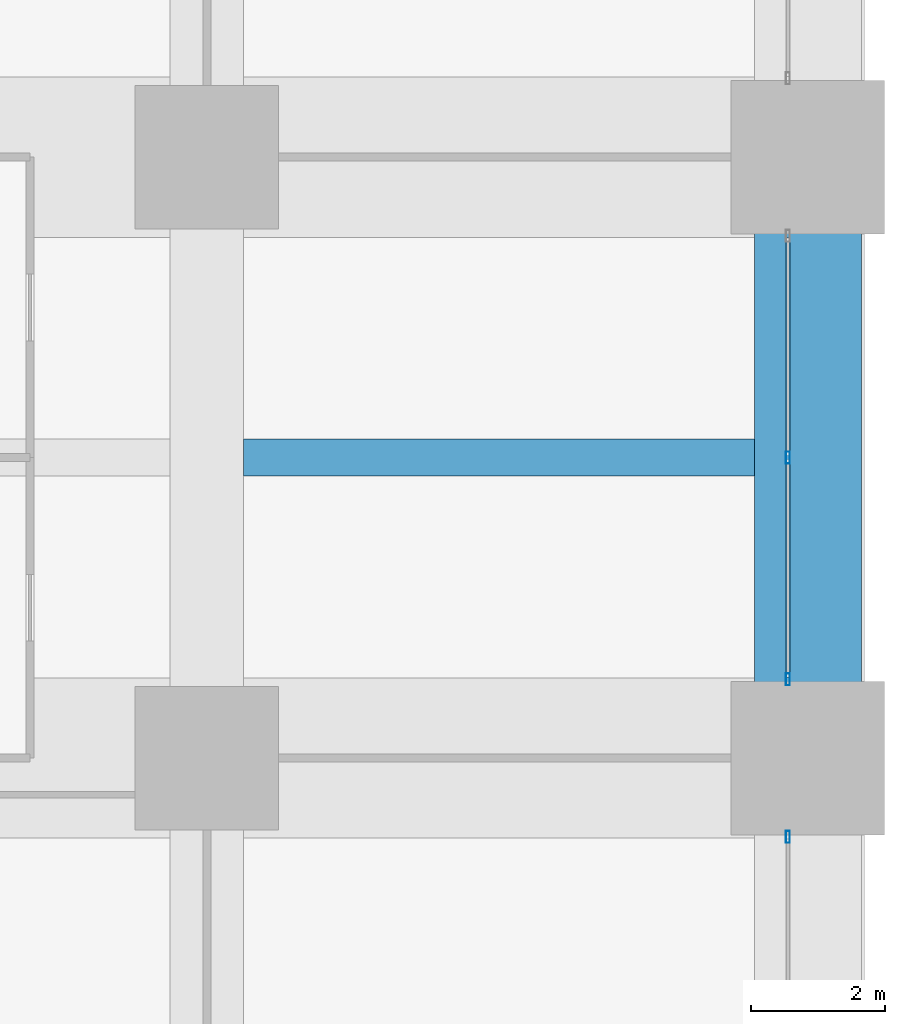
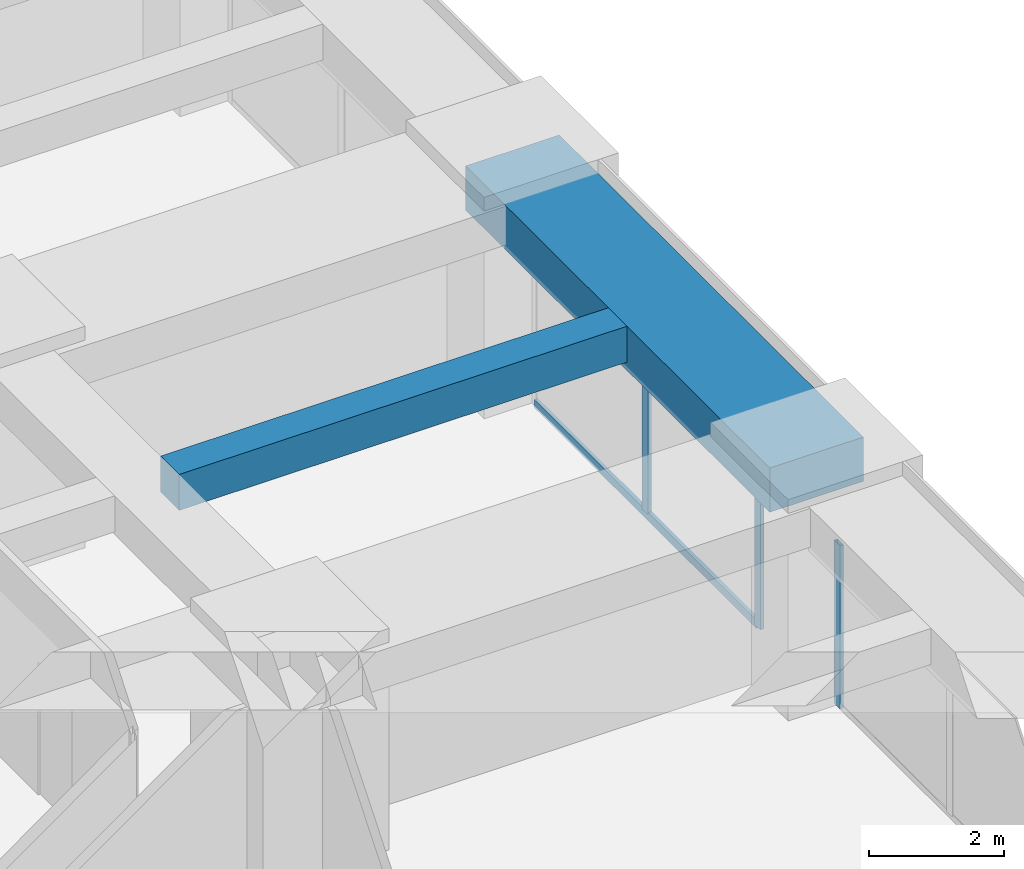
# One storey, part 20 of 44: 4 members, 2 beams, 2 elements without a shape of their own.
"""IFC4 building model written with IfcOpenShell, lengths in metres."""

from ifc_helpers import new_model, si_unit, direction, frame, origin, origin_2d, place, context, subcontext, project, spatial, rectangle, hollow_rectangle, extrude, material, material_profile, profile_set, type_object, element, aggregate, save


model = new_model("IFC4")

# Units and contexts
model_context = context("Model", 3, precision=1e-05, world=origin(), true_north=direction((0.0, 1.0)))
body_context = subcontext(model_context, "Body", "Model", "MODEL_VIEW")
ifc_project = project(units=[si_unit("LENGTHUNIT", "METRE"), si_unit("AREAUNIT", "SQUARE_METRE"), si_unit("VOLUMEUNIT", "CUBIC_METRE"), si_unit("PLANEANGLEUNIT", "RADIAN"), si_unit("MASSUNIT", "GRAM", prefix="KILO")], contexts=[model_context])

# Site, building, storey
site_placement = place(None, origin())
site = spatial("IfcSite", under=ifc_project, at=site_placement, CompositionType="ELEMENT")
building_placement = place(site_placement, origin())
building = spatial("IfcBuilding", under=site, at=building_placement, Name="Zorevar Civic Tower", CompositionType="ELEMENT")
storey_placement = place(building_placement, frame((0.0, 0.0, 63.800048828125)))
storey = spatial("IfcBuildingStorey", under=building, at=storey_placement, Name="L15", CompositionType="ELEMENT", Elevation=63.800048828125)

# Beam
ifc_material_1 = material(Name="Concrete C50/60", Category="concrete")
ifc_material_profile_1 = material_profile(ifc_material_1, rectangle(XDim=0.550048828125, YDim=0.64990234375, at=origin_2d()), Name="RC 550x650")
ifc_profile_set_1 = profile_set([ifc_material_profile_1], Name="Concrete C50/60")
beam_type_1 = type_object("IfcBeamType", Name="Beam RC 550x650", PredefinedType="BEAM", material=ifc_profile_set_1)
beam_1_placement = place(storey_placement, frame((54.550048828125, 22.5, 3.425048828125), z_axis=(1.0, 0.0, 0.0), x_axis=(0.0, 1.0, 0.0)))
element("IfcBeam", 1, at=beam_1_placement, inside=storey, type_object=beam_type_1, Name="Secondary beam L16", PredefinedType="BEAM", context=body_context, shape_type="SweptSolid", body=[
    extrude(rectangle(XDim=0.550048828125, YDim=0.64990234375, at=origin_2d()), origin(), (0.0, 0.0, 1.0), 7.64990234375),
])

# Curtain wall, member
ifc_material_2 = material(Name="Dark grey solar-control glass in black aluminium frame", Category="aluminium")
curtain_wall_type = type_object("IfcCurtainWallType", Name="Curtain wall CW2 low zone", PredefinedType="NOTDEFINED", material=ifc_material_2)
curtain_wall_1_placement = place(storey_placement, origin())
curtain_wall_1 = element("IfcCurtainWall", 2, at=curtain_wall_1_placement, inside=storey, type_object=curtain_wall_type, Name="CW2 L15", PredefinedType="NOTDEFINED")
ifc_material_3 = material(Name="Aluminium, black anodised", Category="aluminium")
ifc_material_profile_2 = material_profile(ifc_material_3, hollow_rectangle(XDim=0.06005859375, YDim=0.179931640625, WallThickness=0.00390625, at=origin_2d()), Name="AL 180x60x4")
ifc_profile_set_2 = profile_set([ifc_material_profile_2], Name="Aluminium, black anodised")
member_type_1 = type_object("IfcMemberType", Name="CW2 mullion AL 180x60x4", PredefinedType="MULLION", material=ifc_profile_set_2)
member_1_placement = place(storey_placement, frame((62.699951171875, 16.820068359375, 0.0), z_axis=(0.0, 0.0, 1.0), x_axis=(-1.0, 0.0, 0.0)))
member_1 = element("IfcMember", 3, at=member_1_placement, type_object=member_type_1, Name="CW2 mullion 3", PredefinedType="MULLION", context=body_context, shape_type="SweptSolid", body=[
    extrude(hollow_rectangle(XDim=0.06005859375, YDim=0.179931640625, WallThickness=0.00390625, at=origin_2d()), origin(), (0.0, 0.0, 1.0), 2.949951171875),
])
aggregate(curtain_wall_1, [member_1])

# Curtain wall, members
curtain_wall_2_placement = place(storey_placement, origin())
curtain_wall_2 = element("IfcCurtainWall", 4, at=curtain_wall_2_placement, inside=storey, type_object=curtain_wall_type, Name="CW2 L15", PredefinedType="NOTDEFINED")
member_2_placement = place(storey_placement, frame((62.699951171875, 19.179931640625, 0.0), z_axis=(0.0, 0.0, 1.0), x_axis=(-1.0, 0.0, 0.0)))
member_2 = element("IfcMember", 5, at=member_2_placement, type_object=member_type_1, Name="CW2 mullion 1", PredefinedType="MULLION", context=body_context, shape_type="SweptSolid", body=[
    extrude(hollow_rectangle(XDim=0.06005859375, YDim=0.179931640625, WallThickness=0.00390625, at=origin_2d()), origin(), (0.0, 0.0, 1.0), 2.949951171875),
])
member_3_placement = place(storey_placement, frame((62.699951171875, 22.5, 0.06005859375), z_axis=(0.0, 0.0, 1.0), x_axis=(-1.0, 0.0, 0.0)))
member_3 = element("IfcMember", 6, at=member_3_placement, type_object=member_type_1, Name="CW2 mullion 2", PredefinedType="MULLION", context=body_context, shape_type="SweptSolid", body=[
    extrude(hollow_rectangle(XDim=0.06005859375, YDim=0.179931640625, WallThickness=0.00390625, at=origin_2d()), origin(), (0.0, 0.0, 1.0), 2.889892578125),
])
ifc_material_4 = material(Name="Aluminium, black anodised", Category="aluminium")
ifc_material_profile_3 = material_profile(ifc_material_4, hollow_rectangle(XDim=0.06005859375, YDim=0.14990234375, WallThickness=0.00390625, at=origin_2d()), Name="AL 150x60x4")
ifc_profile_set_3 = profile_set([ifc_material_profile_3], Name="Aluminium, black anodised")
member_type_2 = type_object("IfcMemberType", Name="CW2 transom AL 150x60x4", PredefinedType="USERDEFINED", material=ifc_profile_set_3)
member_4_placement = place(storey_placement, frame((62.699951171875, 19.2099609375, 0.030029296875), z_axis=(0.0, 1.0, 0.0), x_axis=(-1.0, 0.0, 0.0)))
member_4 = element("IfcMember", 7, at=member_4_placement, type_object=member_type_2, Name="CW2 sill transom", ObjectType="TRANSOM", PredefinedType="USERDEFINED", context=body_context, shape_type="SweptSolid", body=[
    extrude(hollow_rectangle(XDim=0.06005859375, YDim=0.14990234375, WallThickness=0.00390625, at=origin_2d()), origin(), (0.0, 0.0, 1.0), 6.580078125),
])
aggregate(curtain_wall_2, [member_2, member_3, member_4])

# Beam
ifc_material_5 = material(Name="Concrete C50/60", Category="concrete")
ifc_material_profile_4 = material_profile(ifc_material_5, rectangle(XDim=1.60009765625, YDim=0.800048828125, at=origin_2d()), Name="RC 1600x800")
ifc_profile_set_4 = profile_set([ifc_material_profile_4], Name="Concrete C50/60")
beam_type_2 = type_object("IfcBeamType", Name="Edge beam RC 1600x800", PredefinedType="SPANDREL", material=ifc_profile_set_4)
beam_2_placement = place(storey_placement, frame((63.0, 18.0, 3.349853515625), z_axis=(0.0, 1.0, 0.0), x_axis=(-1.0, 0.0, 0.0)))
element("IfcBeam", 8, at=beam_2_placement, inside=storey, type_object=beam_type_2, Name="Edge beam L16", PredefinedType="SPANDREL", context=body_context, shape_type="SweptSolid", body=[
    extrude(rectangle(XDim=1.60009765625, YDim=0.800048828125, at=origin_2d()), origin(), (0.0, 0.0, 1.0), 9.0),
])

save(model, "model.ifc")
